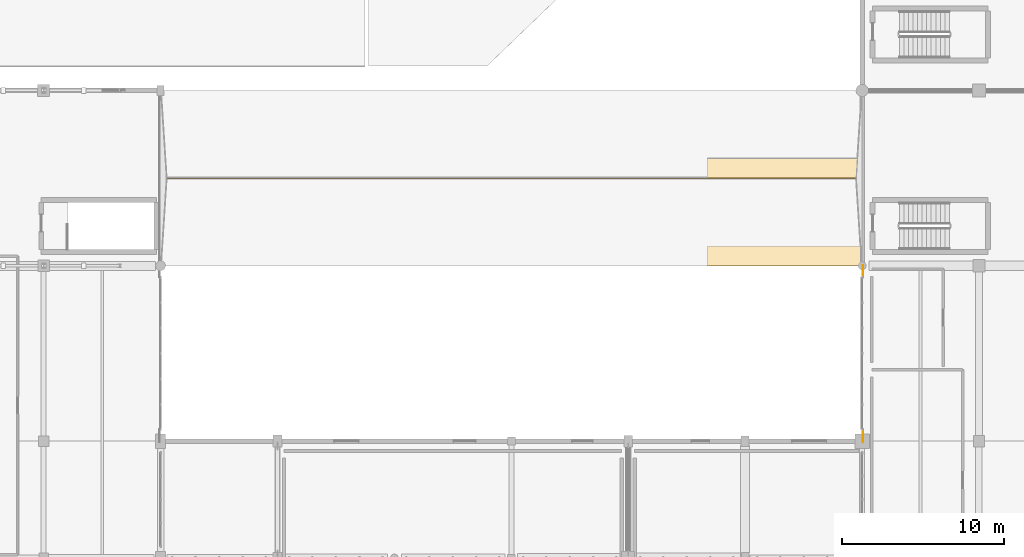
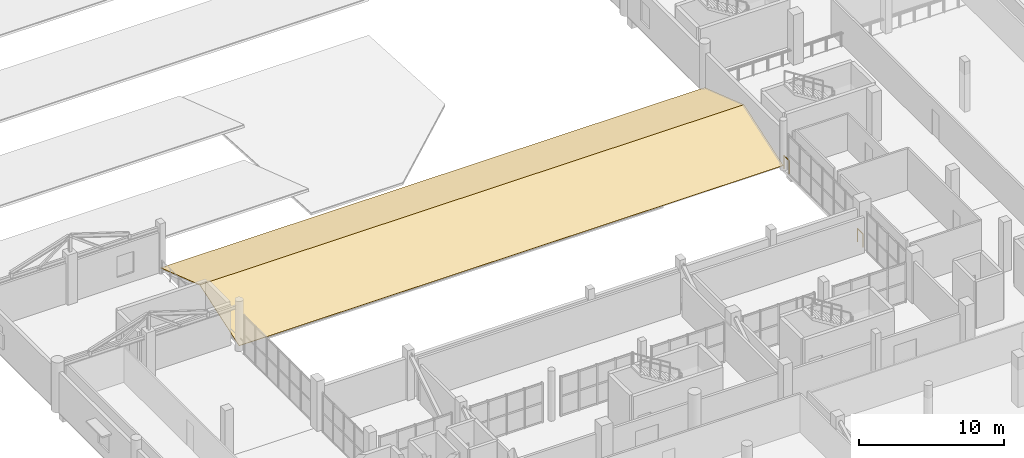
# One storey, part 88 of 90: 2 coverings, 2 railings.
"""IFC4 building model written with IfcOpenShell, lengths in metres."""

from ifc_helpers import new_model, si_unit, direction, frame, origin, origin_2d, place, context, subcontext, project, spatial, polyline, circle, outline, extrude, material, layer, layer_set, type_object, element, save


model = new_model("IFC4")

# Units and contexts
model_context = context("Model", 3, precision=1e-05, world=origin(), true_north=direction((0.0, 1.0)))
body_context = subcontext(model_context, "Body", "Model", "MODEL_VIEW")
ifc_project = project(units=[si_unit("LENGTHUNIT", "METRE"), si_unit("AREAUNIT", "SQUARE_METRE"), si_unit("VOLUMEUNIT", "CUBIC_METRE"), si_unit("PLANEANGLEUNIT", "RADIAN"), si_unit("MASSUNIT", "GRAM", prefix="KILO")], contexts=[model_context])

# Site, building, storey
site_placement = place(None, origin())
site = spatial("IfcSite", under=ifc_project, at=site_placement, CompositionType="ELEMENT")
building_placement = place(site_placement, origin())
building = spatial("IfcBuilding", under=site, at=building_placement, Name="Solanera Park Tramway Depot", CompositionType="ELEMENT")
storey_placement = place(building_placement, frame((0.0, 0.0, 9.0)))
storey = spatial("IfcBuildingStorey", under=building, at=storey_placement, Name="L02", CompositionType="ELEMENT", Elevation=9.0)

# Railings
ifc_material_1 = material(Name="Powder-coated galvanised steel balustrade", Category="steel")
ifc_layer_1 = layer(ifc_material_1, 0.06005859375)
ifc_layer_set_1 = layer_set([ifc_layer_1], Name="Powder-coated galvanised steel balustrade")
railing_type = type_object("IfcRailingType", Name="Classical Wrought-Style Balustrade 1120", PredefinedType="BALUSTRADE", material=ifc_layer_set_1)
railing_1_placement = place(storey_placement, frame((165.659912109375, 32.340087890625, 0.0)))
element("IfcRailing", 1, at=railing_1_placement, inside=storey, type_object=railing_type, Name="L02 Perimeter Deck Balustrade #042", PredefinedType="BALUSTRADE", context=body_context, shape_type="SweptSolid", body=[
    extrude(circle(Radius=0.02392578125, at=origin_2d()), frame((0.0, 0.0, 1.09619140625), z_axis=(0.0, 1.0, 0.0), x_axis=(-1.0, 0.0, 0.0)), (0.0, 0.0, 1.0), 0.760009765625),
    extrude(circle(Radius=0.02099609375, at=origin_2d()), origin(), (0.0, 0.0, 1.0), 1.072021484375),
    extrude(circle(Radius=0.02099609375, at=origin_2d()), frame((0.0, 0.760009765625, 0.0)), (0.0, 0.0, 1.0), 1.072021484375),
])
railing_2_placement = place(storey_placement, frame((165.659912109375, 42.5, 0.0)))
element("IfcRailing", 2, at=railing_2_placement, inside=storey, type_object=railing_type, Name="L02 Perimeter Deck Balustrade #043", PredefinedType="BALUSTRADE", context=body_context, shape_type="SweptSolid", body=[
    extrude(circle(Radius=0.02392578125, at=origin_2d()), frame((0.0, 0.0, 1.09619140625), z_axis=(0.0, 1.0, 0.0), x_axis=(-1.0, 0.0, 0.0)), (0.0, 0.0, 1.0), 0.699951171875),
    extrude(circle(Radius=0.02099609375, at=origin_2d()), origin(), (0.0, 0.0, 1.0), 1.072021484375),
    extrude(circle(Radius=0.02099609375, at=origin_2d()), frame((0.0, 0.699951171875, 0.0)), (0.0, 0.0, 1.0), 1.072021484375),
])

# Coverings
ifc_material_2 = material(Name="Mission terracotta clay barrel tile", Category="masonry")
ifc_layer_2 = layer(ifc_material_2, 0.044921875)
ifc_layer_set_2 = layer_set([ifc_layer_2], Name="Mission terracotta clay barrel tile")
covering_type = type_object("IfcCoveringType", Name="Terracotta Clay Barrel Tile Roofing 45", PredefinedType="ROOFING", material=ifc_layer_set_2)
covering_1_placement = place(storey_placement, frame((122.39990234375, 43.199951171875, 0.292236328125), z_axis=(0.0, -0.322153627534, 0.94668740367), x_axis=(1.0, 0.0, 0.0)))
element("IfcCovering", 3, at=covering_1_placement, inside=storey, type_object=covering_type, Name="Terracotta Barrel Tile Roof Covering V4N-RF.1", PredefinedType="ROOFING", context=body_context, shape_type="SweptSolid", body=[
    extrude(outline(polyline([(0.0, 0.0), (43.2001953125, 0.0), (43.2001953125, 5.704255135794987), (0.0, 5.704255135794987), (0.0, 0.0)])), origin(), (0.0, 0.0, -1.0), 0.044921875),
])
covering_2_placement = place(storey_placement, frame((122.39990234375, 48.60009765625, 2.1298828125), z_axis=(0.0, 0.322166681044, 0.946682961516), x_axis=(1.0, 0.0, 0.0)))
element("IfcCovering", 4, at=covering_2_placement, inside=storey, type_object=covering_type, Name="Terracotta Barrel Tile Roof Covering V4N-RF.2", PredefinedType="ROOFING", context=body_context, shape_type="SweptSolid", body=[
    extrude(outline(polyline([(0.0, 0.0), (43.2001953125, 0.0), (43.2001953125, 5.704024011482818), (0.0, 5.704024011482818), (0.0, 0.0)])), origin(), (0.0, 0.0, -1.0), 0.044921875),
])

save(model, "model.ifc")
